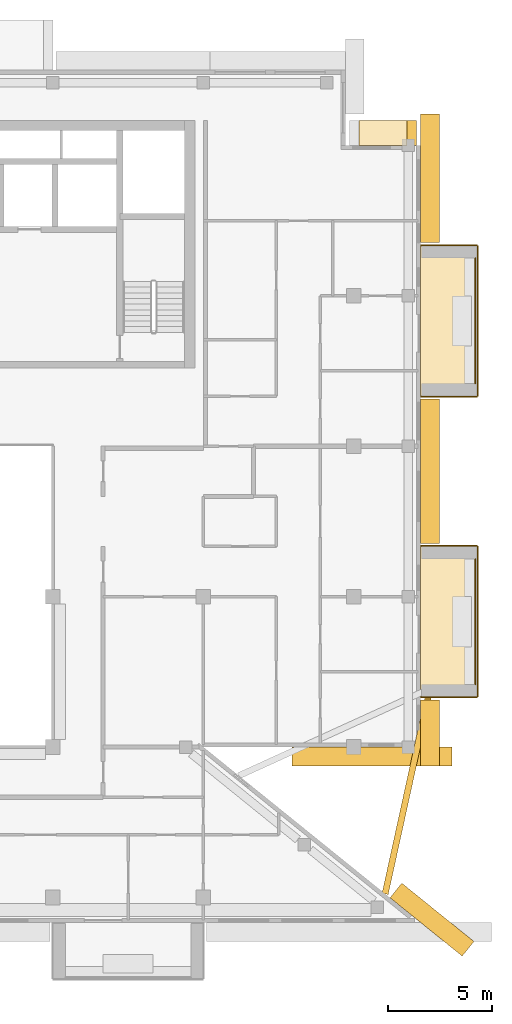
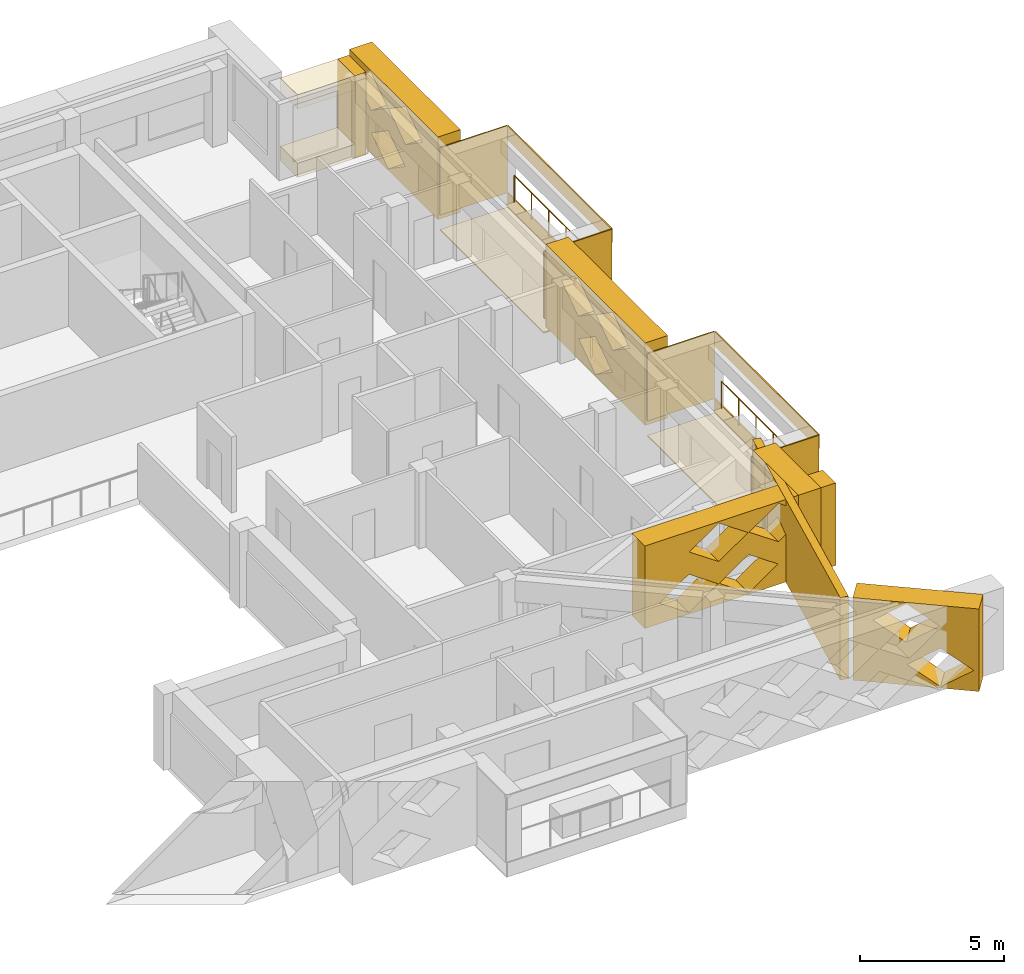
# One storey, part 19 of 19: 19 coverings, 2 railings.
"""IFC4 building model written with IfcOpenShell, lengths in metres."""

from ifc_helpers import new_model, si_unit, direction, frame, origin, origin_2d, place, context, subcontext, project, spatial, polyline, circle, outline, extrude, material, layer, layer_set, type_object, element, save


model = new_model("IFC4")

# Units and contexts
model_context = context("Model", 3, precision=1e-05, world=origin(), true_north=direction((0.0, 1.0)))
body_context = subcontext(model_context, "Body", "Model", "MODEL_VIEW")
ifc_project = project(units=[si_unit("LENGTHUNIT", "METRE"), si_unit("AREAUNIT", "SQUARE_METRE"), si_unit("VOLUMEUNIT", "CUBIC_METRE"), si_unit("PLANEANGLEUNIT", "RADIAN"), si_unit("MASSUNIT", "GRAM", prefix="KILO")], contexts=[model_context])

# Site, building, storey
site_placement = place(None, origin())
site = spatial("IfcSite", under=ifc_project, at=site_placement, CompositionType="ELEMENT")
building_placement = place(site_placement, origin())
building = spatial("IfcBuilding", under=site, at=building_placement, Name="Saffron Iwan Residences", CompositionType="ELEMENT")
storey_placement = place(building_placement, frame((0.0, 0.0, 253.5)))
storey = spatial("IfcBuildingStorey", under=building, at=storey_placement, Name="L68", CompositionType="ELEMENT", Elevation=253.5)

# Railings
ifc_material_1 = material(Name="Stainless steel 316", Category="steel")
railing_type = type_object("IfcRailingType", Name="BALCONY GUARD 1150", PredefinedType="GUARDRAIL", material=ifc_material_1)
for number, where, name in (
    (1, (85.02490234375, 51.0, 0.0), "Balcony guard L68 F2-0"),
    (2, (85.02490234375, 65.39990234375, 0.0), "Balcony guard L68 F2-1"),
):
    element("IfcRailing", number, at=place(storey_placement, frame(where)), inside=storey, type_object=railing_type, Name=name, PredefinedType="GUARDRAIL", context=body_context, shape_type="SweptSolid", body=[
        extrude(circle(Radius=0.02392578125, at=origin_2d()), frame((0.0, 0.0, 1.1259765625), z_axis=(0.0, 1.0, 0.0), x_axis=(-1.0, 0.0, 0.0)), (0.0, 0.0, 1.0), 6.0),
        extrude(circle(Radius=0.02099609375, at=origin_2d()), origin(), (0.0, 0.0, 1.0), 1.101806640625),
        extrude(circle(Radius=0.02099609375, at=origin_2d()), frame((0.0, 1.199951171875, 0.0)), (0.0, 0.0, 1.0), 1.101806640625),
        extrude(circle(Radius=0.02099609375, at=origin_2d()), frame((0.0, 2.39990234375, 0.0)), (0.0, 0.0, 1.0), 1.101806640625),
        extrude(circle(Radius=0.02099609375, at=origin_2d()), frame((0.0, 3.60009765625, 0.0)), (0.0, 0.0, 1.0), 1.101806640625),
        extrude(circle(Radius=0.02099609375, at=origin_2d()), frame((0.0, 4.800048828125, 0.0)), (0.0, 0.0, 1.0), 1.101806640625),
        extrude(circle(Radius=0.02099609375, at=origin_2d()), frame((0.0, 6.0, 0.0)), (0.0, 0.0, 1.0), 1.101806640625),
    ])

# Coverings
ifc_material_2 = material(Name="Precast concrete C40/50 white painted", Category="concrete")
ifc_layer_1 = layer(ifc_material_2, 0.050048828125)
ifc_layer_set_1 = layer_set([ifc_layer_1], Name="Precast concrete C40/50 white painted")
covering_type_1 = type_object("IfcCoveringType", Name="FRAME SKIN PRECAST WHITE 50", PredefinedType="CLADDING", material=ifc_layer_set_1)
for number, where, name in (
    (3, (0.0, 0.0, -0.60009765625), "Frame skin slab edge L68 F2-0"),
    (4, (0.0, 0.0, 2.25), "Frame skin fascia L68 F2-0"),
):
    element("IfcCovering", number, at=place(storey_placement, frame(where)), inside=storey, type_object=covering_type_1, Name=name, PredefinedType="CLADDING", context=body_context, shape_type="SweptSolid", body=[
        extrude(outline(polyline([(85.14990234375, 50.39990234375), (85.14990234375, 57.60009765625), (85.10009765625, 57.60009765625), (85.10009765625, 50.39990234375), (85.14990234375, 50.39990234375)])), origin(), (0.0, 0.0, 1.0), 0.60009765625),
    ])
covering_1_placement = place(storey_placement, frame((0.0, 0.0, -0.64990234375)))
element("IfcCovering", 5, at=covering_1_placement, inside=storey, type_object=covering_type_1, Name="Frame skin soffit L68 F2-0", PredefinedType="CLADDING", context=body_context, shape_type="SweptSolid", body=[
    extrude(outline(polyline([(85.10009765625, 50.39990234375), (85.10009765625, 57.60009765625), (82.39990234375, 57.60009765625), (82.39990234375, 50.39990234375), (85.10009765625, 50.39990234375)])), origin(), (0.0, 0.0, 1.0), 0.0498046875),
])
covering_2_placement = place(storey_placement, origin())
element("IfcCovering", 6, at=covering_2_placement, inside=storey, type_object=covering_type_1, Name="Frame skin fin L68 F2-0a", PredefinedType="CLADDING", context=body_context, shape_type="SweptSolid", body=[
    extrude(outline(polyline([(85.10009765625, 50.35009765625), (85.10009765625, 50.39990234375), (82.39990234375, 50.39990234375), (82.39990234375, 50.35009765625), (85.10009765625, 50.35009765625)])), origin(), (0.0, 0.0, 1.0), 2.85009765625),
])
covering_3_placement = place(storey_placement, origin())
element("IfcCovering", 7, at=covering_3_placement, inside=storey, type_object=covering_type_1, Name="Frame skin fin L68 F2-0b", PredefinedType="CLADDING", context=body_context, shape_type="SweptSolid", body=[
    extrude(outline(polyline([(85.10009765625, 57.60009765625), (85.10009765625, 57.64990234375), (82.39990234375, 57.64990234375), (82.39990234375, 57.60009765625), (85.10009765625, 57.60009765625)])), origin(), (0.0, 0.0, 1.0), 2.85009765625),
])
for number, where, name in (
    (8, (0.0, 0.0, -0.60009765625), "Frame skin slab edge L68 F2-1"),
    (9, (0.0, 0.0, 2.25), "Frame skin fascia L68 F2-1"),
):
    element("IfcCovering", number, at=place(storey_placement, frame(where)), inside=storey, type_object=covering_type_1, Name=name, PredefinedType="CLADDING", context=body_context, shape_type="SweptSolid", body=[
        extrude(outline(polyline([(85.14990234375, 64.800048828125), (85.14990234375, 72.0), (85.10009765625, 72.0), (85.10009765625, 64.800048828125), (85.14990234375, 64.800048828125)])), origin(), (0.0, 0.0, 1.0), 0.60009765625),
    ])
covering_4_placement = place(storey_placement, frame((0.0, 0.0, -0.64990234375)))
element("IfcCovering", 10, at=covering_4_placement, inside=storey, type_object=covering_type_1, Name="Frame skin soffit L68 F2-1", PredefinedType="CLADDING", context=body_context, shape_type="SweptSolid", body=[
    extrude(outline(polyline([(85.10009765625, 64.800048828125), (85.10009765625, 72.0), (82.39990234375, 72.0), (82.39990234375, 64.800048828125), (85.10009765625, 64.800048828125)])), origin(), (0.0, 0.0, 1.0), 0.0498046875),
])
covering_5_placement = place(storey_placement, origin())
element("IfcCovering", 11, at=covering_5_placement, inside=storey, type_object=covering_type_1, Name="Frame skin fin L68 F2-1a", PredefinedType="CLADDING", context=body_context, shape_type="SweptSolid", body=[
    extrude(outline(polyline([(85.10009765625, 64.75), (85.10009765625, 64.800048828125), (82.39990234375, 64.800048828125), (82.39990234375, 64.75), (85.10009765625, 64.75)])), origin(), (0.0, 0.0, 1.0), 2.85009765625),
])
covering_6_placement = place(storey_placement, origin())
element("IfcCovering", 12, at=covering_6_placement, inside=storey, type_object=covering_type_1, Name="Frame skin fin L68 F2-1b", PredefinedType="CLADDING", context=body_context, shape_type="SweptSolid", body=[
    extrude(outline(polyline([(85.10009765625, 72.0), (85.10009765625, 72.050048828125), (82.39990234375, 72.050048828125), (82.39990234375, 72.0), (85.10009765625, 72.0)])), origin(), (0.0, 0.0, 1.0), 2.85009765625),
])
ifc_material_3 = material(Name="Precast concrete C40/50", Category="concrete")
covering_type_2 = type_object("IfcCoveringType", Name="OUTER SKIN LATTICE SCREEN", PredefinedType="CLADDING", material=ifc_material_3)
covering_7_placement = place(storey_placement, frame((84.387939453125, 37.994384765625, -0.280029296875), z_axis=(0.628558089533, 0.777762642509, 0.0), x_axis=(-0.777762642509, 0.628558089533, 0.0)))
element("IfcCovering", 13, at=covering_7_placement, inside=storey, type_object=covering_type_2, Name="OUTER SKIN lattice screen L68 F0.0", PredefinedType="CLADDING", context=body_context, shape_type="SweptSolid", body=[
    extrude(outline(polyline([(0.0, 0.0), (4.439697265625, 0.0), (4.439697265625, 3.5), (0.0, 3.5), (0.0, 0.0)]), holes=[polyline([(0.175537109375, 0.875), (1.35546875, 0.06005859375), (2.535400390625, 0.875), (1.35546875, 1.68994140625), (0.175537109375, 0.875)]), polyline([(1.37548828125, 2.625), (2.555419921875, 1.81005859375), (3.735595703125, 2.625), (2.555419921875, 3.43994140625), (1.37548828125, 2.625)])]), origin(), (0.0, 0.0, 1.0), 0.89990234375),
])
covering_8_placement = place(storey_placement, frame((76.235595703125, 48.0, -0.280029296875), z_axis=(0.0, -1.0, 0.0), x_axis=(1.0, 0.0, 0.0)))
element("IfcCovering", 14, at=covering_8_placement, inside=storey, type_object=covering_type_2, Name="OUTER SKIN lattice screen L68 F1.0", PredefinedType="CLADDING", context=body_context, shape_type="SweptSolid", body=[
    extrude(outline(polyline([(0.0, 0.0), (7.66455078125, 0.0), (7.66455078125, 3.5), (0.0, 3.5), (0.0, 0.0)]), holes=[polyline([(0.58447265625, 0.875), (1.764404296875, 0.06005859375), (2.944580078125, 0.875), (1.764404296875, 1.68994140625), (0.58447265625, 0.875)]), polyline([(2.984619140625, 0.875), (4.16455078125, 0.06005859375), (5.344482421875, 0.875), (4.16455078125, 1.68994140625), (2.984619140625, 0.875)]), polyline([(1.784423828125, 2.625), (2.964599609375, 1.81005859375), (4.14453125, 2.625), (2.964599609375, 3.43994140625), (1.784423828125, 2.625)]), polyline([(4.1845703125, 2.625), (5.364501953125, 1.81005859375), (6.54443359375, 2.625), (5.364501953125, 3.43994140625), (4.1845703125, 2.625)])]), origin(), (0.0, 0.0, 1.0), 0.89990234375),
])
covering_9_placement = place(storey_placement, frame((82.39990234375, 47.10009765625, -0.280029296875), z_axis=(1.0, 0.0, 0.0), x_axis=(0.0, 1.0, 0.0)))
element("IfcCovering", 15, at=covering_9_placement, inside=storey, type_object=covering_type_2, Name="OUTER SKIN lattice screen L68 F2.0", PredefinedType="CLADDING", context=body_context, shape_type="SweptSolid", body=[
    extrude(outline(polyline([(0.0, 0.0), (3.14990234375, 0.0), (3.14990234375, 3.5), (0.0, 3.5), (0.0, 0.0)])), origin(), (0.0, 0.0, 1.0), 0.900146484375),
])
covering_10_placement = place(storey_placement, frame((82.39990234375, 57.75, -0.280029296875), z_axis=(1.0, 0.0, 0.0), x_axis=(0.0, 1.0, 0.0)))
element("IfcCovering", 16, at=covering_10_placement, inside=storey, type_object=covering_type_2, Name="OUTER SKIN lattice screen L68 F2.1", PredefinedType="CLADDING", context=body_context, shape_type="SweptSolid", body=[
    extrude(outline(polyline([(0.0, 0.0), (6.89990234375, 0.0), (6.89990234375, 3.5), (0.0, 3.5), (0.0, 0.0)]), holes=[polyline([(2.27001953125, 0.875), (3.449951171875, 0.06005859375), (4.6298828125, 0.875), (3.449951171875, 1.68994140625), (2.27001953125, 0.875)]), polyline([(1.070068359375, 2.625), (2.25, 1.81005859375), (3.429931640625, 2.625), (2.25, 3.43994140625), (1.070068359375, 2.625)]), polyline([(3.469970703125, 2.625), (4.64990234375, 1.81005859375), (5.830078125, 2.625), (4.64990234375, 3.43994140625), (3.469970703125, 2.625)])]), origin(), (0.0, 0.0, 1.0), 0.900146484375),
])
covering_11_placement = place(storey_placement, frame((82.39990234375, 72.14990234375, -0.280029296875), z_axis=(1.0, 0.0, 0.0), x_axis=(0.0, 1.0, 0.0)))
element("IfcCovering", 17, at=covering_11_placement, inside=storey, type_object=covering_type_2, Name="OUTER SKIN lattice screen L68 F2.2", PredefinedType="CLADDING", context=body_context, shape_type="SweptSolid", body=[
    extrude(outline(polyline([(0.0, 0.0), (6.14990234375, 0.0), (6.14990234375, 3.5), (0.0, 3.5), (0.0, 0.0)]), holes=[polyline([(2.27001953125, 0.875), (3.449951171875, 0.06005859375), (4.6298828125, 0.875), (3.449951171875, 1.68994140625), (2.27001953125, 0.875)]), polyline([(1.070068359375, 2.625), (2.25, 1.81005859375), (3.429931640625, 2.625), (2.25, 3.43994140625), (1.070068359375, 2.625)]), polyline([(3.469970703125, 2.625), (4.64990234375, 1.81005859375), (5.830078125, 2.625), (4.64990234375, 3.43994140625), (3.469970703125, 2.625)])]), origin(), (0.0, 0.0, 1.0), 0.900146484375),
])
ifc_layer_2 = layer(ifc_material_2, 0.300048828125)
ifc_layer_set_2 = layer_set([ifc_layer_2], Name="Precast concrete C40/50 white painted")
covering_type_3 = type_object("IfcCoveringType", Name="PROW NOSE BLADE PRECAST WHITE", PredefinedType="CLADDING", material=ifc_layer_set_2)
covering_12_placement = place(storey_placement, frame((0.0, 0.0, -0.280029296875)))
element("IfcCovering", 18, at=covering_12_placement, inside=storey, type_object=covering_type_3, Name="Prow nose blade L68 a", PredefinedType="CLADDING", context=body_context, shape_type="SweptSolid", body=[
    extrude(outline(polyline([(80.847412109375, 40.9404296875), (83.001708984375, 50.769287109375), (82.70849609375, 50.83349609375), (80.55419921875, 41.004638671875), (80.847412109375, 40.9404296875)])), origin(), (0.0, 0.0, 1.0), 3.5),
])
covering_type_4 = type_object("IfcCoveringType", Name="WHITE SUN FRAME PRECAST", PredefinedType="CLADDING", material=ifc_material_2)
covering_13_placement = place(storey_placement, frame((82.199951171875, 76.800048828125, -0.280029296875), z_axis=(0.0, 1.0, 0.0), x_axis=(-1.0, 0.0, 0.0)))
element("IfcCovering", 19, at=covering_13_placement, inside=storey, type_object=covering_type_4, Name="Sun frame L68 F3 0.2a", PredefinedType="CLADDING", context=body_context, shape_type="SweptSolid", body=[
    extrude(outline(polyline([(0.0, 0.0), (0.449951171875, 0.0), (0.449951171875, 3.5), (0.0, 3.5), (0.0, 0.0)])), origin(), (0.0, 0.0, 1.0), 1.199951171875),
])
for number, where, z_axis, x_axis, name in (
    (20, (81.75, 76.800048828125, 2.6201171875), (0.0, 1.0, 0.0), (-1.0, 0.0, 0.0), "Sun frame L68 F3 0.2h"),
    (21, (81.75, 76.800048828125, -0.280029296875), (0.0, 1.0, 0.0), (-1.0, 0.0, 0.0), "Sun frame L68 F3 0.2s"),
):
    element("IfcCovering", number, at=place(storey_placement, frame(where, z_axis=z_axis, x_axis=x_axis)), inside=storey, type_object=covering_type_4, Name=name, PredefinedType="CLADDING", context=body_context, shape_type="SweptSolid", body=[
        extrude(outline(polyline([(0.0, 0.0), (2.300048828125, 0.0), (2.300048828125, 0.60009765625), (0.0, 0.60009765625), (0.0, 0.0)])), origin(), (0.0, 0.0, 1.0), 1.199951171875),
    ])

save(model, "model.ifc")
